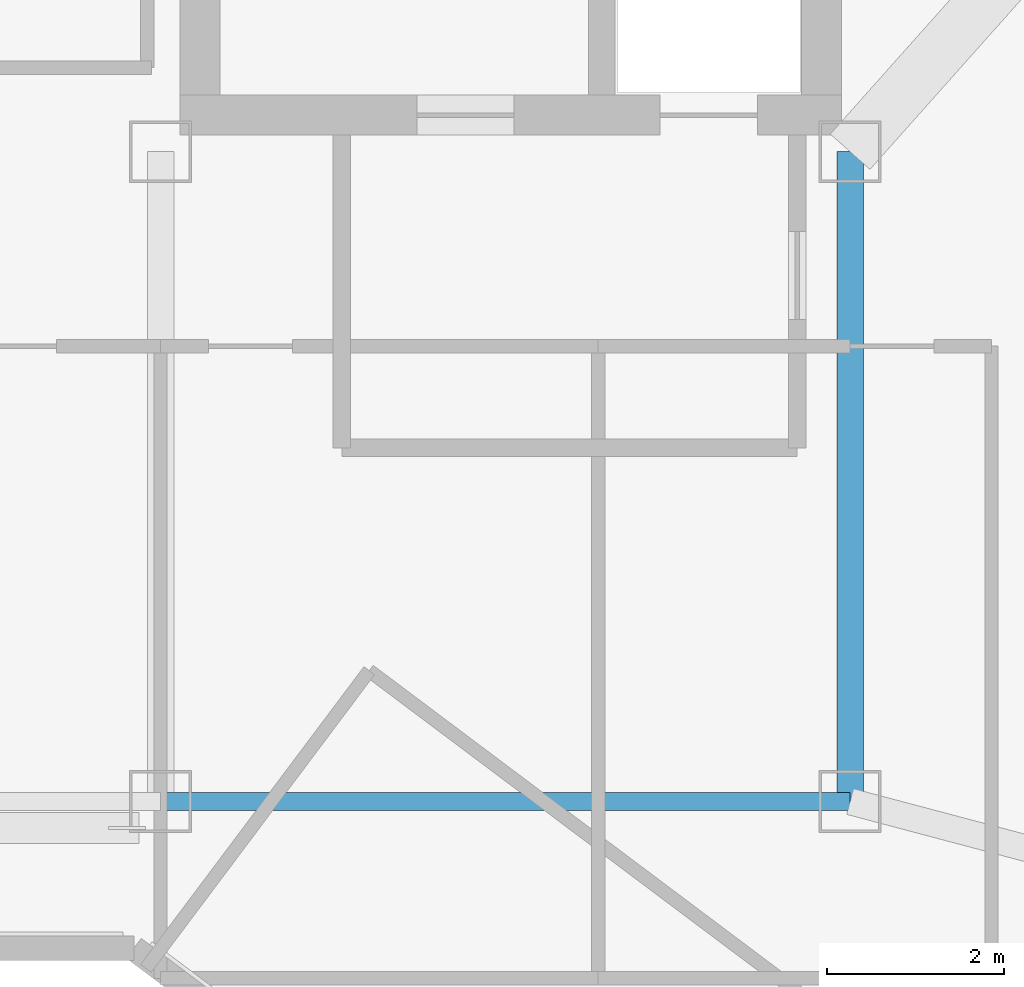
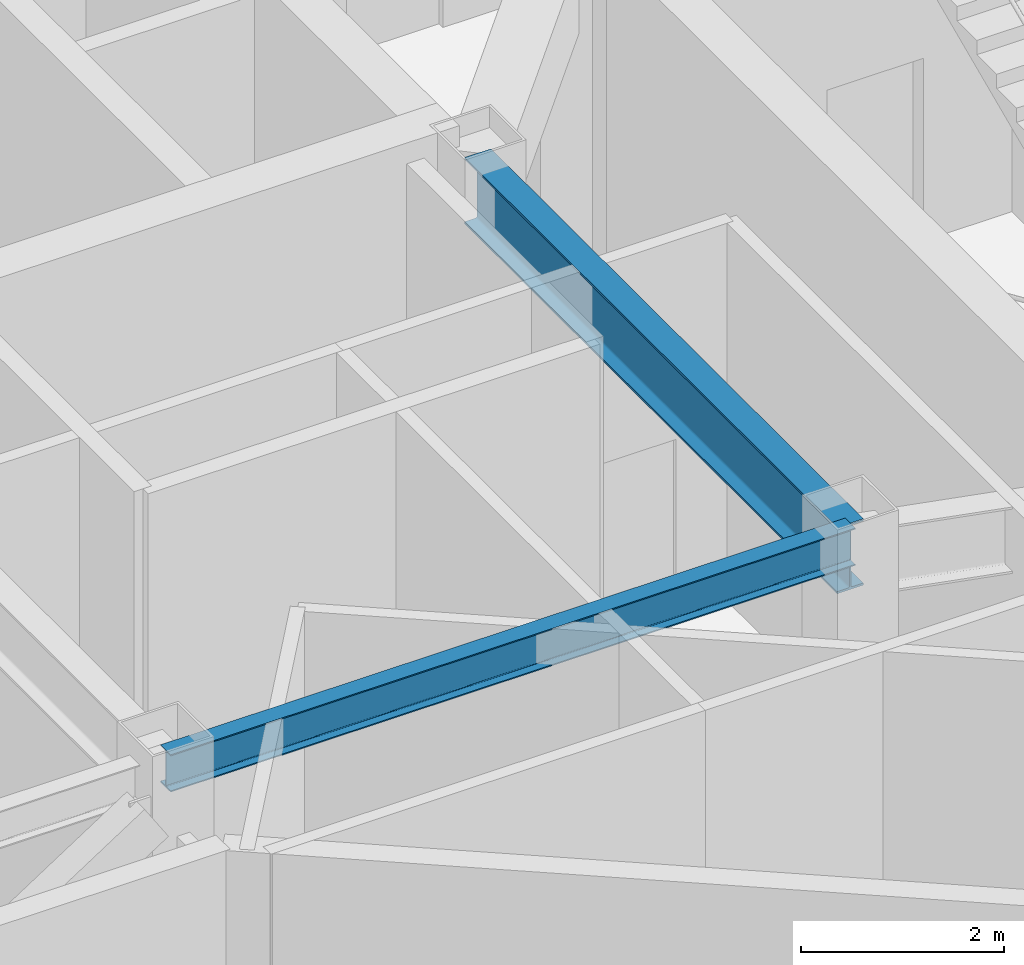
# One storey, part 3 of 21: 2 beams.
"""IFC4 building model written with IfcOpenShell, lengths in metres."""

from ifc_helpers import new_model, si_unit, direction, frame, origin, origin_2d, place, context, subcontext, project, spatial, i_section, extrude, material, material_profile, profile_set, type_object, element, save


model = new_model("IFC4")

# Units and contexts
model_context = context("Model", 3, precision=1e-05, world=origin(), true_north=direction((0.0, 1.0)))
body_context = subcontext(model_context, "Body", "Model", "MODEL_VIEW")
ifc_project = project(units=[si_unit("LENGTHUNIT", "METRE"), si_unit("AREAUNIT", "SQUARE_METRE"), si_unit("VOLUMEUNIT", "CUBIC_METRE"), si_unit("PLANEANGLEUNIT", "RADIAN"), si_unit("MASSUNIT", "GRAM", prefix="KILO")], contexts=[model_context])

# Site, building, storey
site_placement = place(None, origin())
site = spatial("IfcSite", under=ifc_project, at=site_placement, CompositionType="ELEMENT")
building_placement = place(site_placement, origin())
building = spatial("IfcBuilding", under=site, at=building_placement, Name="Hatsunagi Terrace Concourse", CompositionType="ELEMENT")
storey_placement = place(building_placement, frame((0.0, 0.0, 234.75)))
storey = spatial("IfcBuildingStorey", under=building, at=storey_placement, Name="L62", CompositionType="ELEMENT", Elevation=234.75)

# Beams
ifc_material_1 = material(Name="Steel SN490B", Category="steel")
ifc_material_profile_1 = material_profile(ifc_material_1, i_section(OverallWidth=0.199951171875, OverallDepth=0.449951171875, WebThickness=0.009033203125, FlangeThickness=0.013916015625, FilletRadius=0.01611328125, at=origin_2d()), Name="H-450x200x9x14")
ifc_profile_set_1 = profile_set([ifc_material_profile_1], Name="Steel SN490B")
beam_type_1 = type_object("IfcBeamType", Name="PerimeterSpandrel_H_450x200", PredefinedType="SPANDREL", material=ifc_profile_set_1)
beam_1_placement = place(storey_placement, frame((25.550048828125, 25.199951171875, 4.324951171875), z_axis=(1.0, 0.0, 0.0), x_axis=(0.0, 1.0, 0.0)))
element("IfcBeam", 1, at=beam_1_placement, inside=storey, type_object=beam_type_1, Name="Beam SP-02 BM-L62-WS-25", PredefinedType="SPANDREL", context=body_context, shape_type="SweptSolid", body=[
    extrude(i_section(OverallWidth=0.199951171875, OverallDepth=0.449951171875, WebThickness=0.009033203125, FlangeThickness=0.013916015625, FilletRadius=0.01611328125, at=origin_2d()), origin(), (0.0, 0.0, 1.0), 7.800048828125),
])
ifc_material_2 = material(Name="Steel SN490B", Category="steel")
ifc_material_profile_2 = material_profile(ifc_material_2, i_section(OverallWidth=0.300048828125, OverallDepth=0.800048828125, WebThickness=0.013916015625, FlangeThickness=0.02587890625, FilletRadius=0.02197265625, at=origin_2d()), Name="H-800x300x14x26")
ifc_profile_set_2 = profile_set([ifc_material_profile_2], Name="Steel SN490B")
beam_type_2 = type_object("IfcBeamType", Name="SkyLobbyGirder_H_800x300", PredefinedType="BEAM", material=ifc_profile_set_2)
beam_2_placement = place(storey_placement, frame((33.35009765625, 25.199951171875, 4.14990234375), z_axis=(0.0, 1.0, 0.0), x_axis=(-1.0, 0.0, 0.0)))
element("IfcBeam", 2, at=beam_2_placement, inside=storey, type_object=beam_type_2, Name="Beam G-03 BM-L62-K2CA", PredefinedType="BEAM", context=body_context, shape_type="SweptSolid", body=[
    extrude(i_section(OverallWidth=0.300048828125, OverallDepth=0.800048828125, WebThickness=0.013916015625, FlangeThickness=0.02587890625, FilletRadius=0.02197265625, at=origin_2d()), origin(), (0.0, 0.0, 1.0), 7.35009765625),
])

save(model, "model.ifc")
